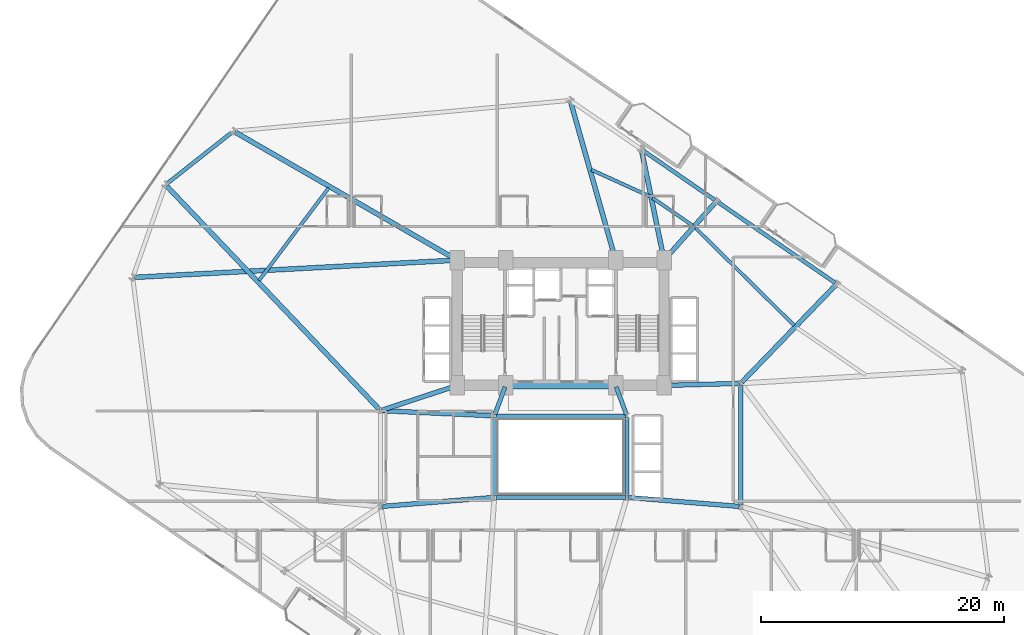
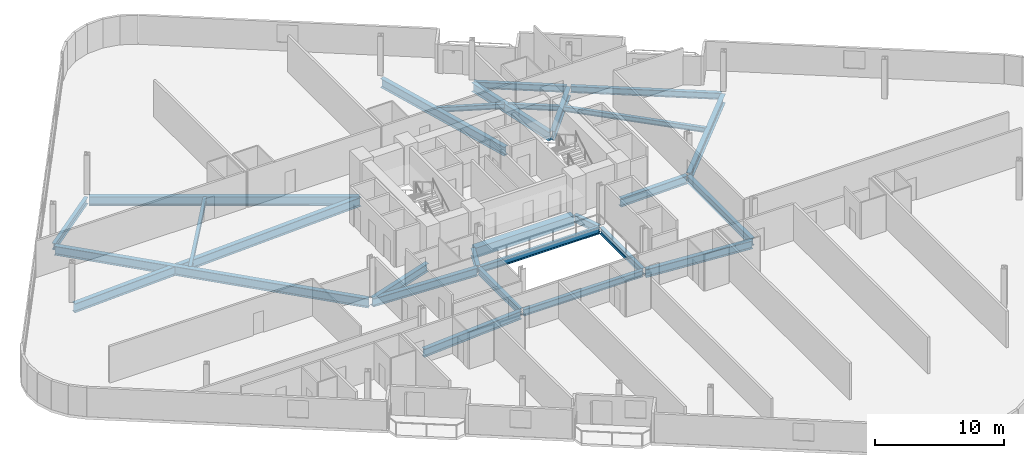
# One storey, part 5 of 25: 27 beams.
"""IFC4 building model written with IfcOpenShell, lengths in metres."""

from ifc_helpers import new_model, si_unit, direction, frame, origin, origin_2d, place, context, subcontext, project, spatial, rectangle, i_section, extrude, material, material_profile, profile_set, type_object, element, save


model = new_model("IFC4")

# Units and contexts
model_context = context("Model", 3, precision=1e-05, world=origin(), true_north=direction((0.0, 1.0)))
body_context = subcontext(model_context, "Body", "Model", "MODEL_VIEW")
ifc_project = project(units=[si_unit("LENGTHUNIT", "METRE"), si_unit("AREAUNIT", "SQUARE_METRE"), si_unit("VOLUMEUNIT", "CUBIC_METRE"), si_unit("PLANEANGLEUNIT", "RADIAN"), si_unit("MASSUNIT", "GRAM", prefix="KILO")], contexts=[model_context])

# Site, building, storey
site_placement = place(None, origin())
site = spatial("IfcSite", under=ifc_project, at=site_placement, CompositionType="ELEMENT")
building_placement = place(site_placement, origin())
building = spatial("IfcBuilding", under=site, at=building_placement, Name="Varnelok Gate Tower", CompositionType="ELEMENT")
storey_placement = place(building_placement, frame((0.0, 0.0, 49.199951171875)))
storey = spatial("IfcBuildingStorey", under=building, at=storey_placement, Name="L11", CompositionType="ELEMENT", Elevation=49.199951171875)

# Beams
ifc_material_1 = material(Name="Structural Steel ASTM A992 Grade 50", Category="steel")
ifc_material_profile_1 = material_profile(ifc_material_1, i_section(OverallWidth=0.280029296875, OverallDepth=0.462890625, WebThickness=0.0107421875, FlangeThickness=0.017333984375, FilletRadius=0.014892578125, at=origin_2d()), Name="W18X76")
ifc_profile_set_1 = profile_set([ifc_material_profile_1], Name="Structural Steel ASTM A992 Grade 50")
beam_type_1 = type_object("IfcBeamType", Name="BM-JST-W18X76", PredefinedType="JOIST", material=ifc_profile_set_1)
beam_1_placement = place(storey_placement, frame((58.3984375, 33.67431640625, -0.4814453125), z_axis=(-0.711626187223, 0.702558303387, 0.0), x_axis=(-0.702558303387, -0.711626187223, 0.0)))
element("IfcBeam", 1, at=beam_1_placement, inside=storey, type_object=beam_type_1, Name="L11 Sector Floor Joist 7", PredefinedType="JOIST", context=body_context, shape_type="SweptSolid", body=[
    extrude(i_section(OverallWidth=0.280029296875, OverallDepth=0.462890625, WebThickness=0.0107421875, FlangeThickness=0.017333984375, FilletRadius=0.014892578125, at=origin_2d()), origin(), (0.0, 0.0, 1.0), 11.442626953125),
])
beam_2_placement = place(storey_placement, frame((50.040771484375, 41.891357421875, -0.4814453125), z_axis=(-0.823549472774, 0.567244449858, 0.0), x_axis=(-0.567244449858, -0.823549472774, 0.0)))
element("IfcBeam", 2, at=beam_2_placement, inside=storey, type_object=beam_type_1, Name="L11 Sector Floor Joist 8", PredefinedType="JOIST", context=body_context, shape_type="SweptSolid", body=[
    extrude(i_section(OverallWidth=0.280029296875, OverallDepth=0.462890625, WebThickness=0.0107421875, FlangeThickness=0.017333984375, FilletRadius=0.014892578125, at=origin_2d()), origin(), (0.0, 0.0, 1.0), 3.994873046875),
])
beam_3_placement = place(storey_placement, frame((46.508056640625, 44.294921875, -0.4814453125), z_axis=(-0.910170936296, 0.414232865334, 0.0), x_axis=(-0.414232865334, -0.910170936296, 0.0)))
element("IfcBeam", 3, at=beam_3_placement, inside=storey, type_object=beam_type_1, Name="L11 Sector Floor Joist 9", PredefinedType="JOIST", context=body_context, shape_type="SweptSolid", body=[
    extrude(i_section(OverallWidth=0.280029296875, OverallDepth=0.462890625, WebThickness=0.0107421875, FlangeThickness=0.017333984375, FilletRadius=0.014892578125, at=origin_2d()), origin(), (0.0, 0.0, 1.0), 5.261962890625),
])
beam_4_placement = place(storey_placement, frame((20.136474609375, 44.978515625, -0.4814453125), z_axis=(-0.601172674718, -0.799119149547, 0.0), x_axis=(0.799119149547, -0.601172674718, 0.0)))
element("IfcBeam", 4, at=beam_4_placement, inside=storey, type_object=beam_type_1, Name="L11 Sector Floor Joist 10", PredefinedType="JOIST", context=body_context, shape_type="SweptSolid", body=[
    extrude(i_section(OverallWidth=0.280029296875, OverallDepth=0.462890625, WebThickness=0.0107421875, FlangeThickness=0.017333984375, FilletRadius=0.014892578125, at=origin_2d()), origin(), (0.0, 0.0, 1.0), 9.521484375),
])
ifc_material_2 = material(Name="Concrete C60/75", Category="concrete")
ifc_material_profile_2 = material_profile(ifc_material_2, rectangle(XDim=0.60009765625, YDim=0.949951171875, at=origin_2d()), Name="RC950X600")
ifc_profile_set_2 = profile_set([ifc_material_profile_2], Name="Concrete C60/75")
beam_type_2 = type_object("IfcBeamType", Name="BM-LNT-RC950", PredefinedType="LINTEL", material=ifc_profile_set_2)
beam_5_placement = place(storey_placement, frame((34.800048828125, 28.75, -0.724853515625), z_axis=(1.0, 0.0, 0.0), x_axis=(0.0, 1.0, 0.0)))
element("IfcBeam", 5, at=beam_5_placement, inside=storey, type_object=beam_type_2, Name="L11 Core-Atrium Spine Beam 7", PredefinedType="LINTEL", context=body_context, shape_type="SweptSolid", body=[
    extrude(rectangle(XDim=0.60009765625, YDim=0.949951171875, at=origin_2d()), origin(), (0.0, 0.0, 1.0), 8.800048828125),
])
ifc_material_profile_3 = material_profile(ifc_material_1, i_section(OverallWidth=0.35498046875, OverallDepth=0.696044921875, WebThickness=0.015380859375, FlangeThickness=0.02490234375, FilletRadius=0.02001953125, at=origin_2d()), Name="W27X146")
ifc_profile_set_3 = profile_set([ifc_material_profile_3], Name="Structural Steel ASTM A992 Grade 50")
beam_type_3 = type_object("IfcBeamType", Name="BM-PRI-W27X146", PredefinedType="BEAM", material=ifc_profile_set_3)
for number, where, z_axis, x_axis, name in (
    (6, (33.791748046875, 26.362548828125, -0.597900390625), (0.348719329408, 0.937227202602, 0.0), (-0.937227202602, 0.348719329408, 0.0), "L11 Core-Atrium Spine Beam 12"),
    (7, (44.608154296875, 26.362548828125, -0.597900390625), (-0.348719329408, 0.937227202602, 0.0), (-0.937227202602, -0.348719329408, 0.0), "L11 Core-Atrium Spine Beam 13"),
):
    element("IfcBeam", number, at=place(storey_placement, frame(where, z_axis=z_axis, x_axis=x_axis)), inside=storey, type_object=beam_type_3, Name=name, PredefinedType="BEAM", context=body_context, shape_type="SweptSolid", body=[
        extrude(i_section(OverallWidth=0.35498046875, OverallDepth=0.696044921875, WebThickness=0.015380859375, FlangeThickness=0.02490234375, FilletRadius=0.02001953125, at=origin_2d()), origin(), (0.0, 0.0, 1.0), 2.42724609375),
    ])
beam_6_placement = place(storey_placement, frame((54.0, 18.919921875, -0.597900390625), z_axis=(0.0, 1.0, 0.0), x_axis=(-1.0, 0.0, 0.0)))
element("IfcBeam", 8, at=beam_6_placement, inside=storey, type_object=beam_type_3, Name="L11 Core-Atrium Spine Beam 20", PredefinedType="BEAM", context=body_context, shape_type="SweptSolid", body=[
    extrude(i_section(OverallWidth=0.35498046875, OverallDepth=0.696044921875, WebThickness=0.015380859375, FlangeThickness=0.02490234375, FilletRadius=0.02001953125, at=origin_2d()), origin(), (0.0, 0.0, 1.0), 9.880126953125),
])
ifc_material_profile_4 = material_profile(ifc_material_1, i_section(OverallWidth=0.381103515625, OverallDepth=0.77294921875, WebThickness=0.0166015625, FlangeThickness=0.027099609375, FilletRadius=0.02197265625, at=origin_2d()), Name="W30X173")
ifc_profile_set_4 = profile_set([ifc_material_profile_4], Name="Structural Steel ASTM A992 Grade 50")
beam_type_4 = type_object("IfcBeamType", Name="BM-PRI-W30X173", PredefinedType="BEAM", material=ifc_profile_set_4)
beam_7_placement = place(storey_placement, frame((24.51953125, 18.8095703125, -0.636474609375), z_axis=(0.996799206292, 0.07994587128, 0.0), x_axis=(-0.07994587128, 0.996799206292, 0.0)))
element("IfcBeam", 9, at=beam_7_placement, inside=storey, type_object=beam_type_4, Name="L11 Core-Atrium Spine Beam 14", PredefinedType="BEAM", context=body_context, shape_type="SweptSolid", body=[
    extrude(i_section(OverallWidth=0.381103515625, OverallDepth=0.77294921875, WebThickness=0.0166015625, FlangeThickness=0.027099609375, FilletRadius=0.02197265625, at=origin_2d()), origin(), (0.0, 0.0, 1.0), 9.14013671875),
])
beam_8_placement = place(storey_placement, frame((24.52001953125, 26.674560546875, -0.636474609375), z_axis=(0.99894427814, -0.045938319209, 0.0), x_axis=(0.045938319209, 0.99894427814, 0.0)))
element("IfcBeam", 10, at=beam_8_placement, inside=storey, type_object=beam_type_4, Name="L11 Core-Atrium Spine Beam 15", PredefinedType="BEAM", context=body_context, shape_type="SweptSolid", body=[
    extrude(i_section(OverallWidth=0.381103515625, OverallDepth=0.77294921875, WebThickness=0.0166015625, FlangeThickness=0.027099609375, FilletRadius=0.02197265625, at=origin_2d()), origin(), (0.0, 0.0, 1.0), 9.11962890625),
])
beam_9_placement = place(storey_placement, frame((24.513916015625, 26.717529296875, -0.636474609375), z_axis=(0.950041943788, 0.312122259768, 0.0), x_axis=(-0.312122259768, 0.950041943788, 0.0)))
element("IfcBeam", 11, at=beam_9_placement, inside=storey, type_object=beam_type_4, Name="L11 Core-Atrium Spine Beam 17", PredefinedType="BEAM", context=body_context, shape_type="SweptSolid", body=[
    extrude(i_section(OverallWidth=0.381103515625, OverallDepth=0.77294921875, WebThickness=0.0166015625, FlangeThickness=0.027099609375, FilletRadius=0.02197265625, at=origin_2d()), origin(), (0.0, 0.0, 1.0), 6.391357421875),
])
beam_10_placement = place(storey_placement, frame((44.76953125, 19.540283203125, -0.636474609375), z_axis=(0.996799206292, -0.07994587128, 0.0), x_axis=(0.07994587128, 0.996799206292, 0.0)))
element("IfcBeam", 12, at=beam_10_placement, inside=storey, type_object=beam_type_4, Name="L11 Core-Atrium Spine Beam 18", PredefinedType="BEAM", context=body_context, shape_type="SweptSolid", body=[
    extrude(i_section(OverallWidth=0.381103515625, OverallDepth=0.77294921875, WebThickness=0.0166015625, FlangeThickness=0.027099609375, FilletRadius=0.02197265625, at=origin_2d()), origin(), (0.0, 0.0, 1.0), 9.14013671875),
])
beam_11_placement = place(storey_placement, frame((47.820068359375, 28.753173828125, -0.636474609375), z_axis=(0.999635880609, 0.026983443053, 0.0), x_axis=(-0.026983443053, 0.999635880609, 0.0)))
element("IfcBeam", 13, at=beam_11_placement, inside=storey, type_object=beam_type_4, Name="L11 Core-Atrium Spine Beam 19", PredefinedType="BEAM", context=body_context, shape_type="SweptSolid", body=[
    extrude(i_section(OverallWidth=0.381103515625, OverallDepth=0.77294921875, WebThickness=0.0166015625, FlangeThickness=0.027099609375, FilletRadius=0.02197265625, at=origin_2d()), origin(), (0.0, 0.0, 1.0), 6.06201171875),
])
ifc_material_profile_5 = material_profile(ifc_material_1, i_section(OverallWidth=0.39892578125, OverallDepth=0.85498046875, WebThickness=0.018310546875, FlangeThickness=0.029296875, FilletRadius=0.02392578125, at=origin_2d()), Name="W33X201")
ifc_profile_set_5 = profile_set([ifc_material_profile_5], Name="Structural Steel ASTM A992 Grade 50")
beam_type_5 = type_object("IfcBeamType", Name="BM-PRI-W33X201", PredefinedType="BEAM", material=ifc_profile_set_5)
beam_12_placement = place(storey_placement, frame((54.104248046875, 29.02783203125, -0.677490234375), z_axis=(0.694813956558, 0.719189520066, 0.0), x_axis=(-0.719189520066, 0.694813956558, 0.0)))
element("IfcBeam", 14, at=beam_12_placement, inside=storey, type_object=beam_type_5, Name="L11 Radial Floor Girder 10", PredefinedType="BEAM", context=body_context, shape_type="SweptSolid", body=[
    extrude(i_section(OverallWidth=0.39892578125, OverallDepth=0.85498046875, WebThickness=0.018310546875, FlangeThickness=0.029296875, FilletRadius=0.02392578125, at=origin_2d()), origin(), (0.0, 0.0, 1.0), 11.057373046875),
])
beam_13_placement = place(storey_placement, frame((47.7998046875, 39.162109375, -0.677490234375), z_axis=(0.664520653518, 0.747269898395, 0.0), x_axis=(-0.747269898395, 0.664520653518, 0.0)))
element("IfcBeam", 15, at=beam_13_placement, inside=storey, type_object=beam_type_5, Name="L11 Radial Floor Girder 11", PredefinedType="BEAM", context=body_context, shape_type="SweptSolid", body=[
    extrude(i_section(OverallWidth=0.39892578125, OverallDepth=0.85498046875, WebThickness=0.018310546875, FlangeThickness=0.029296875, FilletRadius=0.02392578125, at=origin_2d()), origin(), (0.0, 0.0, 1.0), 6.18408203125),
])
beam_14_placement = place(storey_placement, frame((47.669921875, 39.197021484375, -0.677490234375), z_axis=(-0.201054404261, 0.979580076628, 0.0), x_axis=(-0.979580076628, -0.201054404261, 0.0)))
element("IfcBeam", 16, at=beam_14_placement, inside=storey, type_object=beam_type_5, Name="L11 Radial Floor Girder 12", PredefinedType="BEAM", context=body_context, shape_type="SweptSolid", body=[
    extrude(i_section(OverallWidth=0.39892578125, OverallDepth=0.85498046875, WebThickness=0.018310546875, FlangeThickness=0.029296875, FilletRadius=0.02392578125, at=origin_2d()), origin(), (0.0, 0.0, 1.0), 8.989501953125),
])
beam_15_placement = place(storey_placement, frame((43.678955078125, 39.1943359375, -0.677490234375), z_axis=(-0.273636323057, 0.961833230193, 0.0), x_axis=(-0.961833230193, -0.273636323057, 0.0)))
element("IfcBeam", 17, at=beam_15_placement, inside=storey, type_object=beam_type_5, Name="L11 Radial Floor Girder 13", PredefinedType="BEAM", context=body_context, shape_type="SweptSolid", body=[
    extrude(i_section(OverallWidth=0.39892578125, OverallDepth=0.85498046875, WebThickness=0.018310546875, FlangeThickness=0.029296875, FilletRadius=0.02392578125, at=origin_2d()), origin(), (0.0, 0.0, 1.0), 13.348388671875),
])
beam_16_placement = place(storey_placement, frame((30.570068359375, 39.125, -0.677490234375), z_axis=(-0.866373398512, 0.499396770465, 0.0), x_axis=(-0.499396770465, -0.866373398512, 0.0)))
element("IfcBeam", 18, at=beam_16_placement, inside=storey, type_object=beam_type_5, Name="L11 Radial Floor Girder 14", PredefinedType="BEAM", context=body_context, shape_type="SweptSolid", body=[
    extrude(i_section(OverallWidth=0.39892578125, OverallDepth=0.85498046875, WebThickness=0.018310546875, FlangeThickness=0.029296875, FilletRadius=0.02392578125, at=origin_2d()), origin(), (0.0, 0.0, 1.0), 20.920166015625),
])
beam_17_placement = place(storey_placement, frame((24.296630859375, 26.78857421875, -0.677490234375), z_axis=(-0.68957548794, 0.72421381265, 0.0), x_axis=(-0.72421381265, -0.68957548794, 0.0)))
element("IfcBeam", 19, at=beam_17_placement, inside=storey, type_object=beam_type_5, Name="L11 Radial Floor Girder 15", PredefinedType="BEAM", context=body_context, shape_type="SweptSolid", body=[
    extrude(i_section(OverallWidth=0.39892578125, OverallDepth=0.85498046875, WebThickness=0.018310546875, FlangeThickness=0.029296875, FilletRadius=0.02392578125, at=origin_2d()), origin(), (0.0, 0.0, 1.0), 25.324462890625),
])
beam_18_placement = place(storey_placement, frame((30.55029296875, 39.0419921875, -0.677490234375), z_axis=(-0.998572952572, -0.053404666383, 0.0), x_axis=(0.053404666383, -0.998572952572, 0.0)))
element("IfcBeam", 20, at=beam_18_placement, inside=storey, type_object=beam_type_5, Name="L11 Radial Floor Girder 16", PredefinedType="BEAM", context=body_context, shape_type="SweptSolid", body=[
    extrude(i_section(OverallWidth=0.39892578125, OverallDepth=0.85498046875, WebThickness=0.018310546875, FlangeThickness=0.029296875, FilletRadius=0.02392578125, at=origin_2d()), origin(), (0.0, 0.0, 1.0), 26.405029296875),
])
ifc_material_profile_6 = material_profile(ifc_material_1, i_section(OverallWidth=0.323974609375, OverallDepth=0.611083984375, WebThickness=0.0126953125, FlangeThickness=0.01904296875, FilletRadius=0.01806640625, at=origin_2d()), Name="W24X104")
ifc_profile_set_6 = profile_set([ifc_material_profile_6], Name="Structural Steel ASTM A992 Grade 50")
beam_type_6 = type_object("IfcBeamType", Name="BM-SPN-W24X104", PredefinedType="SPANDREL", material=ifc_profile_set_6)
for number, where, z_axis, x_axis, name in (
    (21, (33.8701171875, 19.550048828125, -0.555419921875), (1.0, 0.0, 0.0), (0.0, 1.0, 0.0), "L11 Core-Atrium Spine Beam 8"),
    (22, (33.8701171875, 26.25, -0.555419921875), (1.0, 0.0, 0.0), (0.0, 1.0, 0.0), "L11 Core-Atrium Spine Beam 9"),
):
    element("IfcBeam", number, at=place(storey_placement, frame(where, z_axis=z_axis, x_axis=x_axis)), inside=storey, type_object=beam_type_6, Name=name, PredefinedType="SPANDREL", context=body_context, shape_type="SweptSolid", body=[
        extrude(i_section(OverallWidth=0.323974609375, OverallDepth=0.611083984375, WebThickness=0.0126953125, FlangeThickness=0.01904296875, FilletRadius=0.01806640625, at=origin_2d()), origin(), (0.0, 0.0, 1.0), 10.659912109375),
    ])
for number, where, z_axis, x_axis, name in (
    (23, (33.75, 19.669921875, -0.555419921875), (0.0, 1.0, 0.0), (-1.0, 0.0, 0.0), "L11 Core-Atrium Spine Beam 10"),
    (24, (44.64990234375, 19.669921875, -0.555419921875), (0.0, 1.0, 0.0), (-1.0, 0.0, 0.0), "L11 Core-Atrium Spine Beam 11"),
):
    element("IfcBeam", number, at=place(storey_placement, frame(where, z_axis=z_axis, x_axis=x_axis)), inside=storey, type_object=beam_type_6, Name=name, PredefinedType="SPANDREL", context=body_context, shape_type="SweptSolid", body=[
        extrude(i_section(OverallWidth=0.323974609375, OverallDepth=0.611083984375, WebThickness=0.0126953125, FlangeThickness=0.01904296875, FilletRadius=0.01806640625, at=origin_2d()), origin(), (0.0, 0.0, 1.0), 6.4599609375),
    ])
beam_19_placement = place(storey_placement, frame((61.767822265625, 37.173095703125, -0.555419921875), z_axis=(-0.82353077968, 0.567271588324, 0.0), x_axis=(-0.567271588324, -0.82353077968, 0.0)))
element("IfcBeam", 25, at=beam_19_placement, inside=storey, type_object=beam_type_6, Name="L11 Perimeter Spandrel Beam 10", PredefinedType="SPANDREL", context=body_context, shape_type="SweptSolid", body=[
    extrude(i_section(OverallWidth=0.323974609375, OverallDepth=0.611083984375, WebThickness=0.0126953125, FlangeThickness=0.01904296875, FilletRadius=0.01806640625, at=origin_2d()), origin(), (0.0, 0.0, 1.0), 11.7001953125),
])
beam_20_placement = place(storey_placement, frame((51.885498046875, 43.98046875, -0.555419921875), z_axis=(-0.823550897395, 0.567242381527, 0.0), x_axis=(-0.567242381527, -0.823550897395, 0.0)))
element("IfcBeam", 26, at=beam_20_placement, inside=storey, type_object=beam_type_6, Name="L11 Perimeter Spandrel Beam 11", PredefinedType="SPANDREL", context=body_context, shape_type="SweptSolid", body=[
    extrude(i_section(OverallWidth=0.323974609375, OverallDepth=0.611083984375, WebThickness=0.0126953125, FlangeThickness=0.01904296875, FilletRadius=0.01806640625, at=origin_2d()), origin(), (0.0, 0.0, 1.0), 7.2001953125),
])
beam_21_placement = place(storey_placement, frame((12.197509765625, 49.554443359375, -0.555419921875), z_axis=(-0.784860761341, -0.619672159538, 0.0), x_axis=(0.619672159538, -0.784860761341, 0.0)))
element("IfcBeam", 27, at=beam_21_placement, inside=storey, type_object=beam_type_6, Name="L11 Perimeter Spandrel Beam 14", PredefinedType="SPANDREL", context=body_context, shape_type="SweptSolid", body=[
    extrude(i_section(OverallWidth=0.323974609375, OverallDepth=0.611083984375, WebThickness=0.0126953125, FlangeThickness=0.01904296875, FilletRadius=0.01806640625, at=origin_2d()), origin(), (0.0, 0.0, 1.0), 6.81640625),
])

save(model, "model.ifc")
